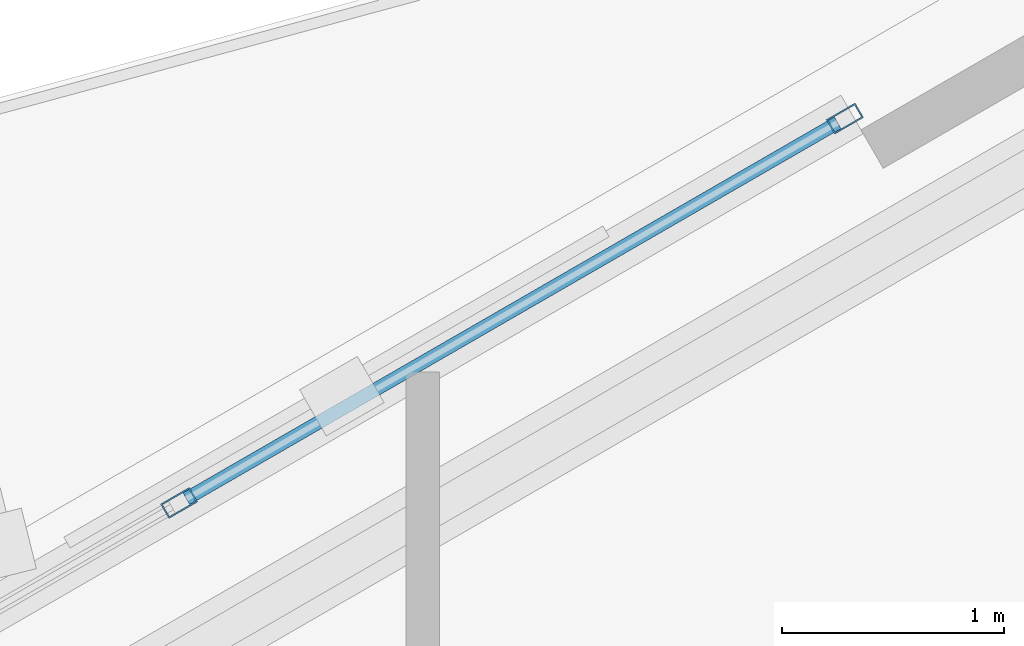
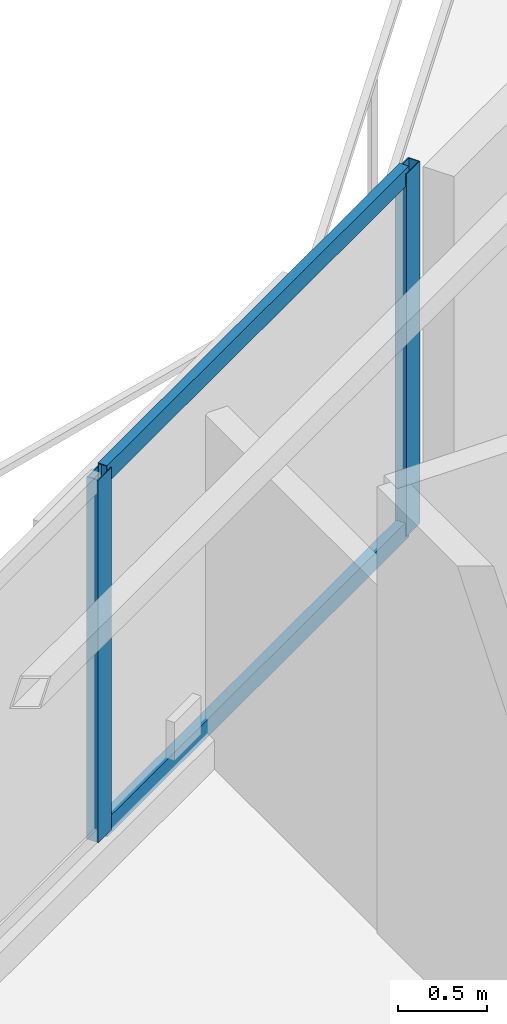
# One storey, part 10 of 19: 4 members, 1 element without a shape of its own.
"""IFC4 building model written with IfcOpenShell, lengths in metres."""

from ifc_helpers import new_model, si_unit, direction, frame, origin, origin_2d, place, context, subcontext, project, spatial, hollow_rectangle, extrude, material, layer, layer_set, material_profile, profile_set, type_object, element, aggregate, save


model = new_model("IFC4")

# Units and contexts
model_context = context("Model", 3, precision=1e-05, world=origin(), true_north=direction((0.0, 1.0)))
body_context = subcontext(model_context, "Body", "Model", "MODEL_VIEW")
ifc_project = project(units=[si_unit("LENGTHUNIT", "METRE"), si_unit("AREAUNIT", "SQUARE_METRE"), si_unit("VOLUMEUNIT", "CUBIC_METRE"), si_unit("PLANEANGLEUNIT", "RADIAN"), si_unit("MASSUNIT", "GRAM", prefix="KILO")], contexts=[model_context])

# Site, building, storey
site_placement = place(None, origin())
site = spatial("IfcSite", under=ifc_project, at=site_placement, CompositionType="ELEMENT")
building_placement = place(site_placement, origin())
building = spatial("IfcBuilding", under=site, at=building_placement, Name="Mersakhor Tower and Convention Hall", CompositionType="ELEMENT")
storey_placement = place(building_placement, frame((0.0, 0.0, 127.800048828125)))
storey = spatial("IfcBuildingStorey", under=building, at=storey_placement, Name="L35", CompositionType="ELEMENT", Elevation=127.800048828125)

# Curtain wall, members
ifc_material_1 = material(Name="Dark solar low-E aluminium curtain wall", Category="aluminium")
ifc_layer = layer(ifc_material_1, 0.169921875)
ifc_layer_set = layer_set([ifc_layer], Name="Dark solar low-E aluminium curtain wall")
curtain_wall_type = type_object("IfcCurtainWallType", Name="CW-SYS-02", PredefinedType="USERDEFINED", material=ifc_layer_set)
curtain_wall_placement = place(storey_placement, origin())
curtain_wall = element("IfcCurtainWall", 1, at=curtain_wall_placement, inside=storey, type_object=curtain_wall_type, Name="L35 Dark-Glass Curtain Wall F1-B2", ObjectType="CURTAIN WALL", PredefinedType="USERDEFINED")
ifc_material_2 = material(Name="Anodised aluminium EN AW-6063 T6", Category="aluminium")
ifc_material_profile_1 = material_profile(ifc_material_2, hollow_rectangle(XDim=0.074951171875, YDim=0.14990234375, WallThickness=0.00634765625, at=origin_2d()), Name="RHS 150x75x6.3")
ifc_profile_set_1 = profile_set([ifc_material_profile_1], Name="Anodised aluminium EN AW-6063 T6")
member_type_1 = type_object("IfcMemberType", Name="CWM-150x75", PredefinedType="MULLION", material=ifc_profile_set_1)
member_1_placement = place(storey_placement, frame((23.904052734375, 39.072021484375, 0.199951171875), z_axis=(0.0, 0.0, 1.0), x_axis=(-0.499990468363, 0.866030906807, 0.0)))
member_1 = element("IfcMember", 2, at=member_1_placement, type_object=member_type_1, Name="CW-02 mullion 3", PredefinedType="MULLION", context=body_context, shape_type="SweptSolid", body=[
    extrude(hollow_rectangle(XDim=0.074951171875, YDim=0.14990234375, WallThickness=0.00634765625, at=origin_2d()), origin(), (0.0, 0.0, 1.0), 2.47998046875),
])
member_2_placement = place(storey_placement, frame((26.8984375, 40.80078125, 0.199951171875), z_axis=(0.0, 0.0, 1.0), x_axis=(-0.499990468363, 0.866030906807, 0.0)))
member_2 = element("IfcMember", 3, at=member_2_placement, type_object=member_type_1, Name="CW-02 mullion 4", PredefinedType="MULLION", context=body_context, shape_type="SweptSolid", body=[
    extrude(hollow_rectangle(XDim=0.074951171875, YDim=0.14990234375, WallThickness=0.00634765625, at=origin_2d()), origin(), (0.0, 0.0, 1.0), 2.47998046875),
])
ifc_material_3 = material(Name="Anodised aluminium EN AW-6063 T6", Category="aluminium")
ifc_material_profile_2 = material_profile(ifc_material_3, hollow_rectangle(XDim=0.06005859375, YDim=0.1201171875, WallThickness=0.0048828125, at=origin_2d()), Name="RHS 120x60x5")
ifc_profile_set_2 = profile_set([ifc_material_profile_2], Name="Anodised aluminium EN AW-6063 T6")
member_type_2 = type_object("IfcMemberType", Name="CWT-120x60", PredefinedType="USERDEFINED", material=ifc_profile_set_2)
member_3_placement = place(storey_placement, frame((23.9365234375, 39.0908203125, 0.22998046875), z_axis=(0.866044963944, 0.49996611928, 0.0), x_axis=(-0.49996611928, 0.866044963944, 0.0)))
member_3 = element("IfcMember", 4, at=member_3_placement, type_object=member_type_2, Name="CW-02 transom 3.1", ObjectType="TRANSOM", PredefinedType="USERDEFINED", context=body_context, shape_type="SweptSolid", body=[
    extrude(hollow_rectangle(XDim=0.06005859375, YDim=0.1201171875, WallThickness=0.0048828125, at=origin_2d()), origin(), (0.0, 0.0, 1.0), 3.382568359375),
])
member_4_placement = place(storey_placement, frame((23.9365234375, 39.0908203125, 2.64990234375), z_axis=(0.866044963944, 0.49996611928, 0.0), x_axis=(-0.49996611928, 0.866044963944, 0.0)))
member_4 = element("IfcMember", 5, at=member_4_placement, type_object=member_type_2, Name="CW-02 transom 3.2", ObjectType="TRANSOM", PredefinedType="USERDEFINED", context=body_context, shape_type="SweptSolid", body=[
    extrude(hollow_rectangle(XDim=0.06005859375, YDim=0.1201171875, WallThickness=0.0048828125, at=origin_2d()), origin(), (0.0, 0.0, 1.0), 3.382568359375),
])
aggregate(curtain_wall, [member_1, member_2, member_3, member_4])

save(model, "model.ifc")
